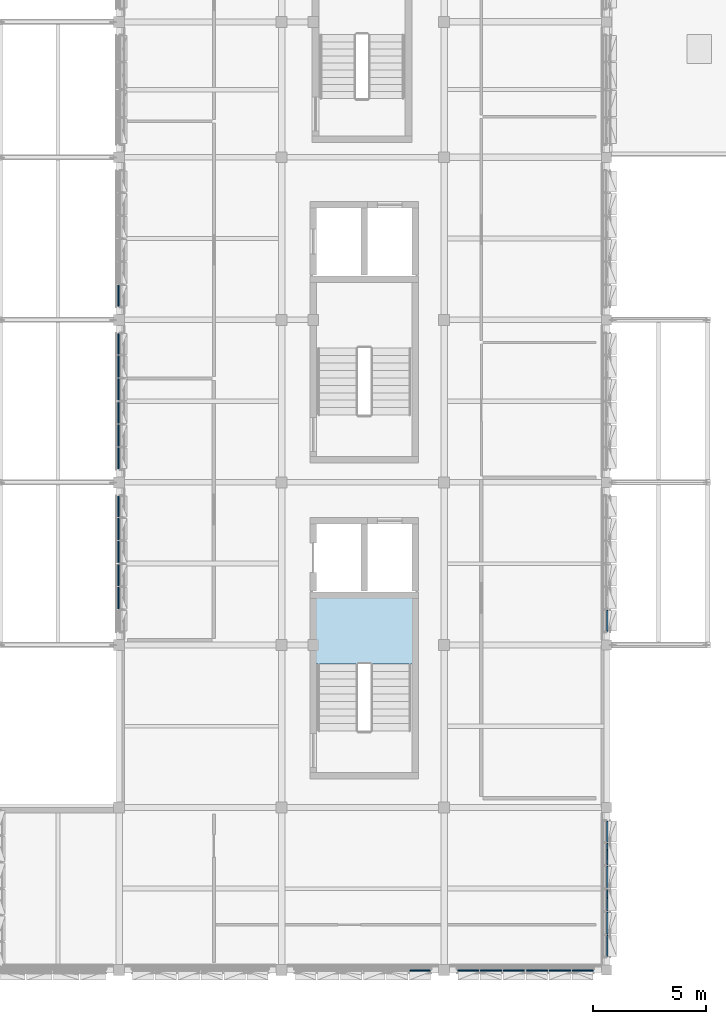
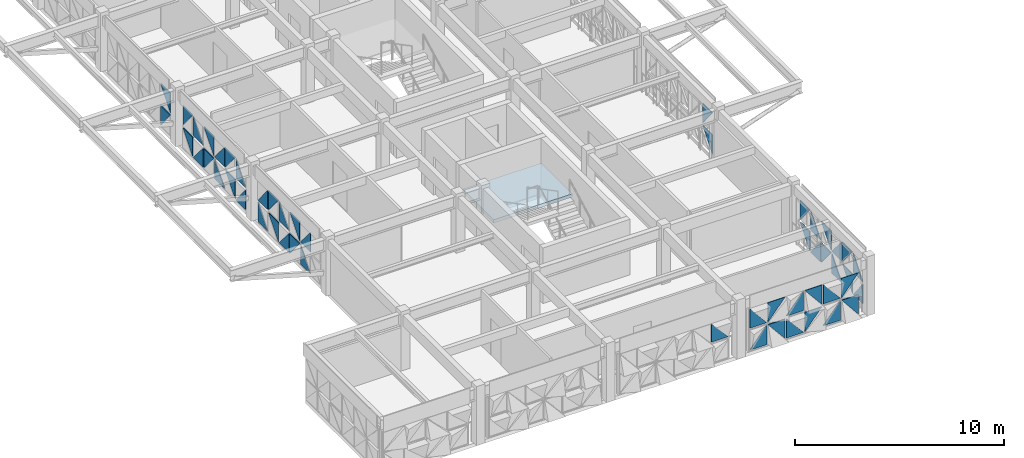
# One storey, part 12 of 30: 51 plates, 1 slab, 8 elements without a shape of their own.
"""IFC4 building model written with IfcOpenShell, lengths in metres."""

from ifc_helpers import new_model, si_unit, direction, frame, origin, place, context, subcontext, project, spatial, polyline, outline, extrude, material, layer, layer_set, type_object, element, aggregate, save


model = new_model("IFC4")

# Units and contexts
model_context = context("Model", 3, precision=1e-05, world=origin(), true_north=direction((0.0, 1.0)))
body_context = subcontext(model_context, "Body", "Model", "MODEL_VIEW")
ifc_project = project(units=[si_unit("LENGTHUNIT", "METRE"), si_unit("AREAUNIT", "SQUARE_METRE"), si_unit("VOLUMEUNIT", "CUBIC_METRE"), si_unit("PLANEANGLEUNIT", "RADIAN"), si_unit("MASSUNIT", "GRAM", prefix="KILO")], contexts=[model_context])

# Site, building, storey
site_placement = place(None, origin())
site = spatial("IfcSite", under=ifc_project, at=site_placement, CompositionType="ELEMENT")
building_placement = place(site_placement, origin())
building = spatial("IfcBuilding", under=site, at=building_placement, Name="Alvorim Cloister Faculty of Sciences", CompositionType="ELEMENT")
storey_placement = place(building_placement, frame((0.0, 0.0, 26.25)))
storey = spatial("IfcBuildingStorey", under=building, at=storey_placement, Name="L07", CompositionType="ELEMENT", Elevation=26.25)

# Curtain wall, plates
ifc_material_1 = material(Name="Aluminium and Low-E Glass Curtain Wall", Category="aluminium")
curtain_wall_type_1 = type_object("IfcCurtainWallType", Name="CW-TRI-6120x2700", PredefinedType="USERDEFINED", material=ifc_material_1)
curtain_wall_1_placement = place(storey_placement, origin())
curtain_wall_1 = element("IfcCurtainWall", 1, at=curtain_wall_1_placement, inside=storey, type_object=curtain_wall_type_1, Name="L07 Diagonal Cassette Curtain Wall CW-0262", ObjectType="UNITISED CURTAIN WALL", PredefinedType="USERDEFINED")
ifc_material_2 = material(Name="Double Low-E Laminated Glass", Category="glass")
ifc_layer_1 = layer(ifc_material_2, 0.0400390625)
ifc_layer_set_1 = layer_set([ifc_layer_1], Name="Double Low-E Laminated Glass")
plate_type = type_object("IfcPlateType", Name="PN-GLZ-40", PredefinedType="CURTAIN_PANEL", material=ifc_layer_set_1)
plate_1_placement = place(storey_placement, frame((22.205078125, 7.175048828125, 0.139892578125), z_axis=(0.0, 0.0, 1.0), x_axis=(1.0, 0.0, 0.0)))
plate_1 = element("IfcPlate", 2, at=plate_1_placement, type_object=plate_type, Name="Diagonal Glazed Triangle TRI-BR", PredefinedType="CURTAIN_PANEL", context=body_context, shape_type="SweptSolid", body=[
    extrude(outline(polyline([(0.001953125, 0.0), (0.922607421875, 0.0), (0.922607421875, 1.13818359375), (0.001953125, 0.0)])), frame((0.0, 0.02490234375, 0.0), z_axis=(0.0, -1.0, 0.0), x_axis=(1.0, 0.0, 0.0)), (0.0, 0.0, 1.0), 0.050048828125),
])
plate_2_placement = place(storey_placement, frame((22.205078125, 7.175048828125, 1.419921875), z_axis=(0.0, 0.0, 1.0), x_axis=(1.0, 0.0, 0.0)))
plate_2 = element("IfcPlate", 3, at=plate_2_placement, type_object=plate_type, Name="Diagonal Glazed Triangle TRI-BL", PredefinedType="CURTAIN_PANEL", context=body_context, shape_type="SweptSolid", body=[
    extrude(outline(polyline([(0.0, 0.0), (0.920654296875, 0.0), (0.0, 1.13818359375), (0.0, 0.0)])), frame((0.0, 0.02490234375, 0.0), z_axis=(0.0, -1.0, 0.0), x_axis=(1.0, 0.0, 0.0)), (0.0, 0.0, 1.0), 0.050048828125),
])
plate_3_placement = place(storey_placement, frame((23.1923828125, 7.175048828125, 0.139892578125), z_axis=(0.0, 0.0, 1.0), x_axis=(1.0, 0.0, 0.0)))
plate_3 = element("IfcPlate", 4, at=plate_3_placement, type_object=plate_type, Name="Diagonal Glazed Triangle TRI-TR", PredefinedType="CURTAIN_PANEL", context=body_context, shape_type="SweptSolid", body=[
    extrude(outline(polyline([(0.955078125, 0.001953125), (0.955078125, 1.14013671875), (0.001953125, 1.14013671875), (0.955078125, 0.001953125)])), frame((0.0, 0.02490234375, 0.0), z_axis=(0.0, -1.0, 0.0), x_axis=(1.0, 0.0, 0.0)), (0.0, 0.0, 1.0), 0.050048828125),
])
plate_4_placement = place(storey_placement, frame((23.1923828125, 7.175048828125, 1.419921875), z_axis=(0.0, 0.0, 1.0), x_axis=(1.0, 0.0, 0.0)))
plate_4 = element("IfcPlate", 5, at=plate_4_placement, type_object=plate_type, Name="Diagonal Glazed Triangle TRI-TL", PredefinedType="CURTAIN_PANEL", context=body_context, shape_type="SweptSolid", body=[
    extrude(outline(polyline([(0.953125, 1.14013671875), (0.0, 1.14013671875), (0.0, 0.001953125), (0.953125, 1.14013671875)])), frame((0.0, 0.02490234375, 0.0), z_axis=(0.0, -1.0, 0.0), x_axis=(1.0, 0.0, 0.0)), (0.0, 0.0, 1.0), 0.050048828125),
])
plate_5_placement = place(storey_placement, frame((24.21240234375, 7.175048828125, 0.139892578125), z_axis=(0.0, 0.0, 1.0), x_axis=(1.0, 0.0, 0.0)))
plate_5 = element("IfcPlate", 6, at=plate_5_placement, type_object=plate_type, Name="Diagonal Glazed Triangle TRI-BL", PredefinedType="CURTAIN_PANEL", context=body_context, shape_type="SweptSolid", body=[
    extrude(outline(polyline([(0.0, 0.0), (0.953125, 0.0), (0.0, 1.13818359375), (0.0, 0.0)])), frame((0.0, 0.02490234375, 0.0), z_axis=(0.0, -1.0, 0.0), x_axis=(1.0, 0.0, 0.0)), (0.0, 0.0, 1.0), 0.050048828125),
])
plate_6_placement = place(storey_placement, frame((24.21240234375, 7.175048828125, 1.419921875), z_axis=(0.0, 0.0, 1.0), x_axis=(1.0, 0.0, 0.0)))
plate_6 = element("IfcPlate", 7, at=plate_6_placement, type_object=plate_type, Name="Diagonal Glazed Triangle TRI-BR", PredefinedType="CURTAIN_PANEL", context=body_context, shape_type="SweptSolid", body=[
    extrude(outline(polyline([(0.001953125, 0.0), (0.955078125, 0.0), (0.955078125, 1.13818359375), (0.001953125, 0.0)])), frame((0.0, 0.02490234375, 0.0), z_axis=(0.0, -1.0, 0.0), x_axis=(1.0, 0.0, 0.0)), (0.0, 0.0, 1.0), 0.050048828125),
])
plate_7_placement = place(storey_placement, frame((25.232421875, 7.175048828125, 0.139892578125), z_axis=(0.0, 0.0, 1.0), x_axis=(1.0, 0.0, 0.0)))
plate_7 = element("IfcPlate", 8, at=plate_7_placement, type_object=plate_type, Name="Diagonal Glazed Triangle TRI-TL", PredefinedType="CURTAIN_PANEL", context=body_context, shape_type="SweptSolid", body=[
    extrude(outline(polyline([(0.953125, 1.14013671875), (0.0, 1.14013671875), (0.0, 0.001953125), (0.953125, 1.14013671875)])), frame((0.0, 0.02490234375, 0.0), z_axis=(0.0, -1.0, 0.0), x_axis=(1.0, 0.0, 0.0)), (0.0, 0.0, 1.0), 0.050048828125),
])
plate_8_placement = place(storey_placement, frame((25.232421875, 7.175048828125, 1.419921875), z_axis=(0.0, 0.0, 1.0), x_axis=(1.0, 0.0, 0.0)))
plate_8 = element("IfcPlate", 9, at=plate_8_placement, type_object=plate_type, Name="Diagonal Glazed Triangle TRI-TR", PredefinedType="CURTAIN_PANEL", context=body_context, shape_type="SweptSolid", body=[
    extrude(outline(polyline([(0.955078125, 0.001953125), (0.955078125, 1.14013671875), (0.001953125, 1.14013671875), (0.955078125, 0.001953125)])), frame((0.0, 0.02490234375, 0.0), z_axis=(0.0, -1.0, 0.0), x_axis=(1.0, 0.0, 0.0)), (0.0, 0.0, 1.0), 0.050048828125),
])
plate_9_placement = place(storey_placement, frame((26.25244140625, 7.175048828125, 0.139892578125), z_axis=(0.0, 0.0, 1.0), x_axis=(1.0, 0.0, 0.0)))
plate_9 = element("IfcPlate", 10, at=plate_9_placement, type_object=plate_type, Name="Diagonal Glazed Triangle TRI-BR", PredefinedType="CURTAIN_PANEL", context=body_context, shape_type="SweptSolid", body=[
    extrude(outline(polyline([(0.001953125, 0.0), (0.955078125, 0.0), (0.955078125, 1.13818359375), (0.001953125, 0.0)])), frame((0.0, 0.02490234375, 0.0), z_axis=(0.0, -1.0, 0.0), x_axis=(1.0, 0.0, 0.0)), (0.0, 0.0, 1.0), 0.050048828125),
])
plate_10_placement = place(storey_placement, frame((26.25244140625, 7.175048828125, 1.419921875), z_axis=(0.0, 0.0, 1.0), x_axis=(1.0, 0.0, 0.0)))
plate_10 = element("IfcPlate", 11, at=plate_10_placement, type_object=plate_type, Name="Diagonal Glazed Triangle TRI-BL", PredefinedType="CURTAIN_PANEL", context=body_context, shape_type="SweptSolid", body=[
    extrude(outline(polyline([(0.0, 0.0), (0.953125, 0.0), (0.0, 1.13818359375), (0.0, 0.0)])), frame((0.0, 0.02490234375, 0.0), z_axis=(0.0, -1.0, 0.0), x_axis=(1.0, 0.0, 0.0)), (0.0, 0.0, 1.0), 0.050048828125),
])
plate_11_placement = place(storey_placement, frame((27.2724609375, 7.175048828125, 0.139892578125), z_axis=(0.0, 0.0, 1.0), x_axis=(1.0, 0.0, 0.0)))
plate_11 = element("IfcPlate", 12, at=plate_11_placement, type_object=plate_type, Name="Diagonal Glazed Triangle TRI-TR", PredefinedType="CURTAIN_PANEL", context=body_context, shape_type="SweptSolid", body=[
    extrude(outline(polyline([(0.922607421875, 0.001953125), (0.922607421875, 1.14013671875), (0.001953125, 1.14013671875), (0.922607421875, 0.001953125)])), frame((0.0, 0.02490234375, 0.0), z_axis=(0.0, -1.0, 0.0), x_axis=(1.0, 0.0, 0.0)), (0.0, 0.0, 1.0), 0.050048828125),
])
plate_12_placement = place(storey_placement, frame((27.2724609375, 7.175048828125, 1.419921875), z_axis=(0.0, 0.0, 1.0), x_axis=(1.0, 0.0, 0.0)))
plate_12 = element("IfcPlate", 13, at=plate_12_placement, type_object=plate_type, Name="Diagonal Glazed Triangle TRI-TL", PredefinedType="CURTAIN_PANEL", context=body_context, shape_type="SweptSolid", body=[
    extrude(outline(polyline([(0.920654296875, 1.14013671875), (0.0, 1.14013671875), (0.0, 0.001953125), (0.920654296875, 1.14013671875)])), frame((0.0, 0.02490234375, 0.0), z_axis=(0.0, -1.0, 0.0), x_axis=(1.0, 0.0, 0.0)), (0.0, 0.0, 1.0), 0.050048828125),
])
aggregate(curtain_wall_1, [plate_1, plate_2, plate_3, plate_4, plate_5, plate_6, plate_7, plate_8, plate_9, plate_10, plate_11, plate_12])

# Curtain wall, plate
curtain_wall_type_2 = type_object("IfcCurtainWallType", Name="CW-TRI-6120x2556", PredefinedType="USERDEFINED", material=ifc_material_1)
curtain_wall_2_placement = place(storey_placement, origin())
curtain_wall_2 = element("IfcCurtainWall", 14, at=curtain_wall_2_placement, inside=storey, type_object=curtain_wall_type_2, Name="L07 Diagonal Cassette Curtain Wall CW-0263", ObjectType="UNITISED CURTAIN WALL", PredefinedType="USERDEFINED")
plate_13_placement = place(storey_placement, frame((20.072509765625, 7.175048828125, 1.347900390625), z_axis=(0.0, 0.0, 1.0), x_axis=(1.0, 0.0, 0.0)))
plate_13 = element("IfcPlate", 15, at=plate_13_placement, type_object=plate_type, Name="Diagonal Glazed Triangle TRI-BL", PredefinedType="CURTAIN_PANEL", context=body_context, shape_type="SweptSolid", body=[
    extrude(outline(polyline([(0.0, 0.0), (0.920654296875, 0.0), (0.0, 1.066162109375), (0.0, 0.0)])), frame((0.0, 0.02490234375, 0.0), z_axis=(0.0, -1.0, 0.0), x_axis=(1.0, 0.0, 0.0)), (0.0, 0.0, 1.0), 0.050048828125),
])
aggregate(curtain_wall_2, [plate_13])

# Curtain wall, plates
curtain_wall_3_placement = place(storey_placement, origin())
curtain_wall_3 = element("IfcCurtainWall", 16, at=curtain_wall_3_placement, inside=storey, type_object=curtain_wall_type_1, Name="L07 Diagonal Cassette Curtain Wall CW-0267", ObjectType="UNITISED CURTAIN WALL", PredefinedType="USERDEFINED")
plate_14_placement = place(storey_placement, frame((7.175048828125, 23.1923828125, 0.139892578125), z_axis=(0.0, 0.0, 1.0), x_axis=(0.0, 1.0, 0.0)))
plate_14 = element("IfcPlate", 17, at=plate_14_placement, type_object=plate_type, Name="Diagonal Glazed Triangle TRI-BR", PredefinedType="CURTAIN_PANEL", context=body_context, shape_type="SweptSolid", body=[
    extrude(outline(polyline([(0.001953125, 0.0), (0.955078125, 0.0), (0.955078125, 1.13818359375), (0.001953125, 0.0)])), frame((0.0, 0.02490234375, 0.0), z_axis=(0.0, -1.0, 0.0), x_axis=(1.0, 0.0, 0.0)), (0.0, 0.0, 1.0), 0.050048828125),
])
plate_15_placement = place(storey_placement, frame((7.175048828125, 23.1923828125, 1.419921875), z_axis=(0.0, 0.0, 1.0), x_axis=(0.0, 1.0, 0.0)))
plate_15 = element("IfcPlate", 18, at=plate_15_placement, type_object=plate_type, Name="Diagonal Glazed Triangle TRI-BL", PredefinedType="CURTAIN_PANEL", context=body_context, shape_type="SweptSolid", body=[
    extrude(outline(polyline([(0.0, 0.0), (0.953125, 0.0), (0.0, 1.13818359375), (0.0, 0.0)])), frame((0.0, 0.02490234375, 0.0), z_axis=(0.0, -1.0, 0.0), x_axis=(1.0, 0.0, 0.0)), (0.0, 0.0, 1.0), 0.050048828125),
])
plate_16_placement = place(storey_placement, frame((7.175048828125, 24.21240234375, 0.139892578125), z_axis=(0.0, 0.0, 1.0), x_axis=(0.0, 1.0, 0.0)))
plate_16 = element("IfcPlate", 19, at=plate_16_placement, type_object=plate_type, Name="Diagonal Glazed Triangle TRI-TR", PredefinedType="CURTAIN_PANEL", context=body_context, shape_type="SweptSolid", body=[
    extrude(outline(polyline([(0.955078125, 0.001953125), (0.955078125, 1.14013671875), (0.001953125, 1.14013671875), (0.955078125, 0.001953125)])), frame((0.0, 0.02490234375, 0.0), z_axis=(0.0, -1.0, 0.0), x_axis=(1.0, 0.0, 0.0)), (0.0, 0.0, 1.0), 0.050048828125),
])
plate_17_placement = place(storey_placement, frame((7.175048828125, 24.21240234375, 1.419921875), z_axis=(0.0, 0.0, 1.0), x_axis=(0.0, 1.0, 0.0)))
plate_17 = element("IfcPlate", 20, at=plate_17_placement, type_object=plate_type, Name="Diagonal Glazed Triangle TRI-TL", PredefinedType="CURTAIN_PANEL", context=body_context, shape_type="SweptSolid", body=[
    extrude(outline(polyline([(0.953125, 1.14013671875), (0.0, 1.14013671875), (0.0, 0.001953125), (0.953125, 1.14013671875)])), frame((0.0, 0.02490234375, 0.0), z_axis=(0.0, -1.0, 0.0), x_axis=(1.0, 0.0, 0.0)), (0.0, 0.0, 1.0), 0.050048828125),
])
plate_18_placement = place(storey_placement, frame((7.175048828125, 25.232421875, 0.139892578125), z_axis=(0.0, 0.0, 1.0), x_axis=(0.0, 1.0, 0.0)))
plate_18 = element("IfcPlate", 21, at=plate_18_placement, type_object=plate_type, Name="Diagonal Glazed Triangle TRI-BL", PredefinedType="CURTAIN_PANEL", context=body_context, shape_type="SweptSolid", body=[
    extrude(outline(polyline([(0.0, 0.0), (0.953125, 0.0), (0.0, 1.13818359375), (0.0, 0.0)])), frame((0.0, 0.02490234375, 0.0), z_axis=(0.0, -1.0, 0.0), x_axis=(1.0, 0.0, 0.0)), (0.0, 0.0, 1.0), 0.050048828125),
])
plate_19_placement = place(storey_placement, frame((7.175048828125, 25.232421875, 1.419921875), z_axis=(0.0, 0.0, 1.0), x_axis=(0.0, 1.0, 0.0)))
plate_19 = element("IfcPlate", 22, at=plate_19_placement, type_object=plate_type, Name="Diagonal Glazed Triangle TRI-BR", PredefinedType="CURTAIN_PANEL", context=body_context, shape_type="SweptSolid", body=[
    extrude(outline(polyline([(0.001953125, 0.0), (0.955078125, 0.0), (0.955078125, 1.13818359375), (0.001953125, 0.0)])), frame((0.0, 0.02490234375, 0.0), z_axis=(0.0, -1.0, 0.0), x_axis=(1.0, 0.0, 0.0)), (0.0, 0.0, 1.0), 0.050048828125),
])
plate_20_placement = place(storey_placement, frame((7.175048828125, 26.25244140625, 0.139892578125), z_axis=(0.0, 0.0, 1.0), x_axis=(0.0, 1.0, 0.0)))
plate_20 = element("IfcPlate", 23, at=plate_20_placement, type_object=plate_type, Name="Diagonal Glazed Triangle TRI-TL", PredefinedType="CURTAIN_PANEL", context=body_context, shape_type="SweptSolid", body=[
    extrude(outline(polyline([(0.953125, 1.14013671875), (0.0, 1.14013671875), (0.0, 0.001953125), (0.953125, 1.14013671875)])), frame((0.0, 0.02490234375, 0.0), z_axis=(0.0, -1.0, 0.0), x_axis=(1.0, 0.0, 0.0)), (0.0, 0.0, 1.0), 0.050048828125),
])
plate_21_placement = place(storey_placement, frame((7.175048828125, 26.25244140625, 1.419921875), z_axis=(0.0, 0.0, 1.0), x_axis=(0.0, 1.0, 0.0)))
plate_21 = element("IfcPlate", 24, at=plate_21_placement, type_object=plate_type, Name="Diagonal Glazed Triangle TRI-TR", PredefinedType="CURTAIN_PANEL", context=body_context, shape_type="SweptSolid", body=[
    extrude(outline(polyline([(0.955078125, 0.001953125), (0.955078125, 1.14013671875), (0.001953125, 1.14013671875), (0.955078125, 0.001953125)])), frame((0.0, 0.02490234375, 0.0), z_axis=(0.0, -1.0, 0.0), x_axis=(1.0, 0.0, 0.0)), (0.0, 0.0, 1.0), 0.050048828125),
])
plate_22_placement = place(storey_placement, frame((7.175048828125, 27.2724609375, 0.139892578125), z_axis=(0.0, 0.0, 1.0), x_axis=(0.0, 1.0, 0.0)))
plate_22 = element("IfcPlate", 25, at=plate_22_placement, type_object=plate_type, Name="Diagonal Glazed Triangle TRI-BR", PredefinedType="CURTAIN_PANEL", context=body_context, shape_type="SweptSolid", body=[
    extrude(outline(polyline([(0.001953125, 0.0), (0.922607421875, 0.0), (0.922607421875, 1.13818359375), (0.001953125, 0.0)])), frame((0.0, 0.02490234375, 0.0), z_axis=(0.0, -1.0, 0.0), x_axis=(1.0, 0.0, 0.0)), (0.0, 0.0, 1.0), 0.050048828125),
])
plate_23_placement = place(storey_placement, frame((7.175048828125, 27.2724609375, 1.419921875), z_axis=(0.0, 0.0, 1.0), x_axis=(0.0, 1.0, 0.0)))
plate_23 = element("IfcPlate", 26, at=plate_23_placement, type_object=plate_type, Name="Diagonal Glazed Triangle TRI-BL", PredefinedType="CURTAIN_PANEL", context=body_context, shape_type="SweptSolid", body=[
    extrude(outline(polyline([(0.0, 0.0), (0.920654296875, 0.0), (0.0, 1.13818359375), (0.0, 0.0)])), frame((0.0, 0.02490234375, 0.0), z_axis=(0.0, -1.0, 0.0), x_axis=(1.0, 0.0, 0.0)), (0.0, 0.0, 1.0), 0.050048828125),
])
aggregate(curtain_wall_3, [plate_14, plate_15, plate_16, plate_17, plate_18, plate_19, plate_20, plate_21, plate_22, plate_23])

curtain_wall_4_placement = place(storey_placement, origin())
curtain_wall_4 = element("IfcCurtainWall", 27, at=curtain_wall_4_placement, inside=storey, type_object=curtain_wall_type_1, Name="L07 Diagonal Cassette Curtain Wall CW-0268", ObjectType="UNITISED CURTAIN WALL", PredefinedType="USERDEFINED")
plate_24_placement = place(storey_placement, frame((7.175048828125, 29.405029296875, 0.139892578125), z_axis=(0.0, 0.0, 1.0), x_axis=(0.0, 1.0, 0.0)))
plate_24 = element("IfcPlate", 28, at=plate_24_placement, type_object=plate_type, Name="Diagonal Glazed Triangle TRI-BL", PredefinedType="CURTAIN_PANEL", context=body_context, shape_type="SweptSolid", body=[
    extrude(outline(polyline([(0.0, 0.0), (0.920654296875, 0.0), (0.0, 1.13818359375), (0.0, 0.0)])), frame((0.0, 0.02490234375, 0.0), z_axis=(0.0, -1.0, 0.0), x_axis=(1.0, 0.0, 0.0)), (0.0, 0.0, 1.0), 0.050048828125),
])
plate_25_placement = place(storey_placement, frame((7.175048828125, 29.405029296875, 1.419921875), z_axis=(0.0, 0.0, 1.0), x_axis=(0.0, 1.0, 0.0)))
plate_25 = element("IfcPlate", 29, at=plate_25_placement, type_object=plate_type, Name="Diagonal Glazed Triangle TRI-BR", PredefinedType="CURTAIN_PANEL", context=body_context, shape_type="SweptSolid", body=[
    extrude(outline(polyline([(0.001953125, 0.0), (0.922607421875, 0.0), (0.922607421875, 1.13818359375), (0.001953125, 0.0)])), frame((0.0, 0.02490234375, 0.0), z_axis=(0.0, -1.0, 0.0), x_axis=(1.0, 0.0, 0.0)), (0.0, 0.0, 1.0), 0.050048828125),
])
plate_26_placement = place(storey_placement, frame((7.175048828125, 30.392578125, 0.139892578125), z_axis=(0.0, 0.0, 1.0), x_axis=(0.0, 1.0, 0.0)))
plate_26 = element("IfcPlate", 30, at=plate_26_placement, type_object=plate_type, Name="Diagonal Glazed Triangle TRI-TL", PredefinedType="CURTAIN_PANEL", context=body_context, shape_type="SweptSolid", body=[
    extrude(outline(polyline([(0.953125, 1.14013671875), (0.0, 1.14013671875), (0.0, 0.001953125), (0.953125, 1.14013671875)])), frame((0.0, 0.02490234375, 0.0), z_axis=(0.0, -1.0, 0.0), x_axis=(1.0, 0.0, 0.0)), (0.0, 0.0, 1.0), 0.050048828125),
])
plate_27_placement = place(storey_placement, frame((7.175048828125, 30.392578125, 1.419921875), z_axis=(0.0, 0.0, 1.0), x_axis=(0.0, 1.0, 0.0)))
plate_27 = element("IfcPlate", 31, at=plate_27_placement, type_object=plate_type, Name="Diagonal Glazed Triangle TRI-TR", PredefinedType="CURTAIN_PANEL", context=body_context, shape_type="SweptSolid", body=[
    extrude(outline(polyline([(0.955078125, 0.001953125), (0.955078125, 1.14013671875), (0.001953125, 1.14013671875), (0.955078125, 0.001953125)])), frame((0.0, 0.02490234375, 0.0), z_axis=(0.0, -1.0, 0.0), x_axis=(1.0, 0.0, 0.0)), (0.0, 0.0, 1.0), 0.050048828125),
])
plate_28_placement = place(storey_placement, frame((7.175048828125, 31.41259765625, 0.139892578125), z_axis=(0.0, 0.0, 1.0), x_axis=(0.0, 1.0, 0.0)))
plate_28 = element("IfcPlate", 32, at=plate_28_placement, type_object=plate_type, Name="Diagonal Glazed Triangle TRI-BR", PredefinedType="CURTAIN_PANEL", context=body_context, shape_type="SweptSolid", body=[
    extrude(outline(polyline([(0.001953125, 0.0), (0.955078125, 0.0), (0.955078125, 1.13818359375), (0.001953125, 0.0)])), frame((0.0, 0.02490234375, 0.0), z_axis=(0.0, -1.0, 0.0), x_axis=(1.0, 0.0, 0.0)), (0.0, 0.0, 1.0), 0.050048828125),
])
plate_29_placement = place(storey_placement, frame((7.175048828125, 31.41259765625, 1.419921875), z_axis=(0.0, 0.0, 1.0), x_axis=(0.0, 1.0, 0.0)))
plate_29 = element("IfcPlate", 33, at=plate_29_placement, type_object=plate_type, Name="Diagonal Glazed Triangle TRI-BL", PredefinedType="CURTAIN_PANEL", context=body_context, shape_type="SweptSolid", body=[
    extrude(outline(polyline([(0.0, 0.0), (0.953125, 0.0), (0.0, 1.13818359375), (0.0, 0.0)])), frame((0.0, 0.02490234375, 0.0), z_axis=(0.0, -1.0, 0.0), x_axis=(1.0, 0.0, 0.0)), (0.0, 0.0, 1.0), 0.050048828125),
])
plate_30_placement = place(storey_placement, frame((7.175048828125, 32.4326171875, 0.139892578125), z_axis=(0.0, 0.0, 1.0), x_axis=(0.0, 1.0, 0.0)))
plate_30 = element("IfcPlate", 34, at=plate_30_placement, type_object=plate_type, Name="Diagonal Glazed Triangle TRI-TR", PredefinedType="CURTAIN_PANEL", context=body_context, shape_type="SweptSolid", body=[
    extrude(outline(polyline([(0.955078125, 0.001953125), (0.955078125, 1.14013671875), (0.001953125, 1.14013671875), (0.955078125, 0.001953125)])), frame((0.0, 0.02490234375, 0.0), z_axis=(0.0, -1.0, 0.0), x_axis=(1.0, 0.0, 0.0)), (0.0, 0.0, 1.0), 0.050048828125),
])
plate_31_placement = place(storey_placement, frame((7.175048828125, 32.4326171875, 1.419921875), z_axis=(0.0, 0.0, 1.0), x_axis=(0.0, 1.0, 0.0)))
plate_31 = element("IfcPlate", 35, at=plate_31_placement, type_object=plate_type, Name="Diagonal Glazed Triangle TRI-TL", PredefinedType="CURTAIN_PANEL", context=body_context, shape_type="SweptSolid", body=[
    extrude(outline(polyline([(0.953125, 1.14013671875), (0.0, 1.14013671875), (0.0, 0.001953125), (0.953125, 1.14013671875)])), frame((0.0, 0.02490234375, 0.0), z_axis=(0.0, -1.0, 0.0), x_axis=(1.0, 0.0, 0.0)), (0.0, 0.0, 1.0), 0.050048828125),
])
plate_32_placement = place(storey_placement, frame((7.175048828125, 33.452392578125, 0.139892578125), z_axis=(0.0, 0.0, 1.0), x_axis=(0.0, 1.0, 0.0)))
plate_32 = element("IfcPlate", 36, at=plate_32_placement, type_object=plate_type, Name="Diagonal Glazed Triangle TRI-BL", PredefinedType="CURTAIN_PANEL", context=body_context, shape_type="SweptSolid", body=[
    extrude(outline(polyline([(0.0, 0.0), (0.953125, 0.0), (0.0, 1.13818359375), (0.0, 0.0)])), frame((0.0, 0.02490234375, 0.0), z_axis=(0.0, -1.0, 0.0), x_axis=(1.0, 0.0, 0.0)), (0.0, 0.0, 1.0), 0.050048828125),
])
plate_33_placement = place(storey_placement, frame((7.175048828125, 33.452392578125, 1.419921875), z_axis=(0.0, 0.0, 1.0), x_axis=(0.0, 1.0, 0.0)))
plate_33 = element("IfcPlate", 37, at=plate_33_placement, type_object=plate_type, Name="Diagonal Glazed Triangle TRI-BR", PredefinedType="CURTAIN_PANEL", context=body_context, shape_type="SweptSolid", body=[
    extrude(outline(polyline([(0.001953125, 0.0), (0.955078125, 0.0), (0.955078125, 1.13818359375), (0.001953125, 0.0)])), frame((0.0, 0.02490234375, 0.0), z_axis=(0.0, -1.0, 0.0), x_axis=(1.0, 0.0, 0.0)), (0.0, 0.0, 1.0), 0.050048828125),
])
plate_34_placement = place(storey_placement, frame((7.175048828125, 34.472412109375, 0.139892578125), z_axis=(0.0, 0.0, 1.0), x_axis=(0.0, 1.0, 0.0)))
plate_34 = element("IfcPlate", 38, at=plate_34_placement, type_object=plate_type, Name="Diagonal Glazed Triangle TRI-TL", PredefinedType="CURTAIN_PANEL", context=body_context, shape_type="SweptSolid", body=[
    extrude(outline(polyline([(0.920654296875, 1.14013671875), (0.0, 1.14013671875), (0.0, 0.001953125), (0.920654296875, 1.14013671875)])), frame((0.0, 0.02490234375, 0.0), z_axis=(0.0, -1.0, 0.0), x_axis=(1.0, 0.0, 0.0)), (0.0, 0.0, 1.0), 0.050048828125),
])
plate_35_placement = place(storey_placement, frame((7.175048828125, 34.472412109375, 1.419921875), z_axis=(0.0, 0.0, 1.0), x_axis=(0.0, 1.0, 0.0)))
plate_35 = element("IfcPlate", 39, at=plate_35_placement, type_object=plate_type, Name="Diagonal Glazed Triangle TRI-TR", PredefinedType="CURTAIN_PANEL", context=body_context, shape_type="SweptSolid", body=[
    extrude(outline(polyline([(0.922607421875, 0.001953125), (0.922607421875, 1.14013671875), (0.001953125, 1.14013671875), (0.922607421875, 0.001953125)])), frame((0.0, 0.02490234375, 0.0), z_axis=(0.0, -1.0, 0.0), x_axis=(1.0, 0.0, 0.0)), (0.0, 0.0, 1.0), 0.050048828125),
])
aggregate(curtain_wall_4, [plate_24, plate_25, plate_26, plate_27, plate_28, plate_29, plate_30, plate_31, plate_32, plate_33, plate_34, plate_35])

curtain_wall_5_placement = place(storey_placement, origin())
curtain_wall_5 = element("IfcCurtainWall", 40, at=curtain_wall_5_placement, inside=storey, type_object=curtain_wall_type_1, Name="L07 Diagonal Cassette Curtain Wall CW-0269", ObjectType="UNITISED CURTAIN WALL", PredefinedType="USERDEFINED")
plate_36_placement = place(storey_placement, frame((7.175048828125, 36.60498046875, 0.139892578125), z_axis=(0.0, 0.0, 1.0), x_axis=(0.0, 1.0, 0.0)))
plate_36 = element("IfcPlate", 41, at=plate_36_placement, type_object=plate_type, Name="Diagonal Glazed Triangle TRI-TR", PredefinedType="CURTAIN_PANEL", context=body_context, shape_type="SweptSolid", body=[
    extrude(outline(polyline([(0.922607421875, 0.001953125), (0.922607421875, 1.14013671875), (0.001953125, 1.14013671875), (0.922607421875, 0.001953125)])), frame((0.0, 0.02490234375, 0.0), z_axis=(0.0, -1.0, 0.0), x_axis=(1.0, 0.0, 0.0)), (0.0, 0.0, 1.0), 0.050048828125),
])
plate_37_placement = place(storey_placement, frame((7.175048828125, 36.60498046875, 1.419921875), z_axis=(0.0, 0.0, 1.0), x_axis=(0.0, 1.0, 0.0)))
plate_37 = element("IfcPlate", 42, at=plate_37_placement, type_object=plate_type, Name="Diagonal Glazed Triangle TRI-TL", PredefinedType="CURTAIN_PANEL", context=body_context, shape_type="SweptSolid", body=[
    extrude(outline(polyline([(0.920654296875, 1.14013671875), (0.0, 1.14013671875), (0.0, 0.001953125), (0.920654296875, 1.14013671875)])), frame((0.0, 0.02490234375, 0.0), z_axis=(0.0, -1.0, 0.0), x_axis=(1.0, 0.0, 0.0)), (0.0, 0.0, 1.0), 0.050048828125),
])
aggregate(curtain_wall_5, [plate_36, plate_37])

curtain_wall_6_placement = place(storey_placement, origin())
curtain_wall_6 = element("IfcCurtainWall", 43, at=curtain_wall_6_placement, inside=storey, type_object=curtain_wall_type_1, Name="L07 Diagonal Cassette Curtain Wall CW-0279", ObjectType="UNITISED CURTAIN WALL", PredefinedType="USERDEFINED")
plate_38_placement = place(storey_placement, frame((28.824951171875, 22.205078125, 0.139892578125), z_axis=(0.0, 0.0, 1.0), x_axis=(0.0, 1.0, 0.0)))
plate_38 = element("IfcPlate", 44, at=plate_38_placement, type_object=plate_type, Name="Diagonal Glazed Triangle TRI-TL", PredefinedType="CURTAIN_PANEL", context=body_context, shape_type="SweptSolid", body=[
    extrude(outline(polyline([(0.920654296875, 1.14013671875), (0.0, 1.14013671875), (0.0, 0.001953125), (0.920654296875, 1.14013671875)])), frame((0.0, 0.02490234375, 0.0), z_axis=(0.0, -1.0, 0.0), x_axis=(1.0, 0.0, 0.0)), (0.0, 0.0, 1.0), 0.050048828125),
])
plate_39_placement = place(storey_placement, frame((28.824951171875, 22.205078125, 1.419921875), z_axis=(0.0, 0.0, 1.0), x_axis=(0.0, 1.0, 0.0)))
plate_39 = element("IfcPlate", 45, at=plate_39_placement, type_object=plate_type, Name="Diagonal Glazed Triangle TRI-TR", PredefinedType="CURTAIN_PANEL", context=body_context, shape_type="SweptSolid", body=[
    extrude(outline(polyline([(0.922607421875, 0.001953125), (0.922607421875, 1.14013671875), (0.001953125, 1.14013671875), (0.922607421875, 0.001953125)])), frame((0.0, 0.02490234375, 0.0), z_axis=(0.0, -1.0, 0.0), x_axis=(1.0, 0.0, 0.0)), (0.0, 0.0, 1.0), 0.050048828125),
])
aggregate(curtain_wall_6, [plate_38, plate_39])

curtain_wall_7_placement = place(storey_placement, origin())
curtain_wall_7 = element("IfcCurtainWall", 46, at=curtain_wall_7_placement, inside=storey, type_object=curtain_wall_type_1, Name="L07 Diagonal Cassette Curtain Wall CW-0280", ObjectType="UNITISED CURTAIN WALL", PredefinedType="USERDEFINED")
plate_40_placement = place(storey_placement, frame((28.824951171875, 7.804931640625, 0.139892578125), z_axis=(0.0, 0.0, 1.0), x_axis=(0.0, 1.0, 0.0)))
plate_40 = element("IfcPlate", 47, at=plate_40_placement, type_object=plate_type, Name="Diagonal Glazed Triangle TRI-BL", PredefinedType="CURTAIN_PANEL", context=body_context, shape_type="SweptSolid", body=[
    extrude(outline(polyline([(0.0, 0.0), (0.920654296875, 0.0), (0.0, 1.13818359375), (0.0, 0.0)])), frame((0.0, 0.02490234375, 0.0), z_axis=(0.0, -1.0, 0.0), x_axis=(1.0, 0.0, 0.0)), (0.0, 0.0, 1.0), 0.050048828125),
])
plate_41_placement = place(storey_placement, frame((28.824951171875, 7.804931640625, 1.419921875), z_axis=(0.0, 0.0, 1.0), x_axis=(0.0, 1.0, 0.0)))
plate_41 = element("IfcPlate", 48, at=plate_41_placement, type_object=plate_type, Name="Diagonal Glazed Triangle TRI-BR", PredefinedType="CURTAIN_PANEL", context=body_context, shape_type="SweptSolid", body=[
    extrude(outline(polyline([(0.001953125, 0.0), (0.922607421875, 0.0), (0.922607421875, 1.13818359375), (0.001953125, 0.0)])), frame((0.0, 0.02490234375, 0.0), z_axis=(0.0, -1.0, 0.0), x_axis=(1.0, 0.0, 0.0)), (0.0, 0.0, 1.0), 0.050048828125),
])
plate_42_placement = place(storey_placement, frame((28.824951171875, 8.79248046875, 0.139892578125), z_axis=(0.0, 0.0, 1.0), x_axis=(0.0, 1.0, 0.0)))
plate_42 = element("IfcPlate", 49, at=plate_42_placement, type_object=plate_type, Name="Diagonal Glazed Triangle TRI-TL", PredefinedType="CURTAIN_PANEL", context=body_context, shape_type="SweptSolid", body=[
    extrude(outline(polyline([(0.953125, 1.14013671875), (0.0, 1.14013671875), (0.0, 0.001953125), (0.953125, 1.14013671875)])), frame((0.0, 0.02490234375, 0.0), z_axis=(0.0, -1.0, 0.0), x_axis=(1.0, 0.0, 0.0)), (0.0, 0.0, 1.0), 0.050048828125),
])
plate_43_placement = place(storey_placement, frame((28.824951171875, 8.79248046875, 1.419921875), z_axis=(0.0, 0.0, 1.0), x_axis=(0.0, 1.0, 0.0)))
plate_43 = element("IfcPlate", 50, at=plate_43_placement, type_object=plate_type, Name="Diagonal Glazed Triangle TRI-TR", PredefinedType="CURTAIN_PANEL", context=body_context, shape_type="SweptSolid", body=[
    extrude(outline(polyline([(0.955078125, 0.001953125), (0.955078125, 1.14013671875), (0.001953125, 1.14013671875), (0.955078125, 0.001953125)])), frame((0.0, 0.02490234375, 0.0), z_axis=(0.0, -1.0, 0.0), x_axis=(1.0, 0.0, 0.0)), (0.0, 0.0, 1.0), 0.050048828125),
])
plate_44_placement = place(storey_placement, frame((28.824951171875, 9.8125, 0.139892578125), z_axis=(0.0, 0.0, 1.0), x_axis=(0.0, 1.0, 0.0)))
plate_44 = element("IfcPlate", 51, at=plate_44_placement, type_object=plate_type, Name="Diagonal Glazed Triangle TRI-BR", PredefinedType="CURTAIN_PANEL", context=body_context, shape_type="SweptSolid", body=[
    extrude(outline(polyline([(0.001953125, 0.0), (0.955078125, 0.0), (0.955078125, 1.13818359375), (0.001953125, 0.0)])), frame((0.0, 0.02490234375, 0.0), z_axis=(0.0, -1.0, 0.0), x_axis=(1.0, 0.0, 0.0)), (0.0, 0.0, 1.0), 0.050048828125),
])
plate_45_placement = place(storey_placement, frame((28.824951171875, 9.8125, 1.419921875), z_axis=(0.0, 0.0, 1.0), x_axis=(0.0, 1.0, 0.0)))
plate_45 = element("IfcPlate", 52, at=plate_45_placement, type_object=plate_type, Name="Diagonal Glazed Triangle TRI-BL", PredefinedType="CURTAIN_PANEL", context=body_context, shape_type="SweptSolid", body=[
    extrude(outline(polyline([(0.0, 0.0), (0.953125, 0.0), (0.0, 1.13818359375), (0.0, 0.0)])), frame((0.0, 0.02490234375, 0.0), z_axis=(0.0, -1.0, 0.0), x_axis=(1.0, 0.0, 0.0)), (0.0, 0.0, 1.0), 0.050048828125),
])
plate_46_placement = place(storey_placement, frame((28.824951171875, 10.83251953125, 0.139892578125), z_axis=(0.0, 0.0, 1.0), x_axis=(0.0, 1.0, 0.0)))
plate_46 = element("IfcPlate", 53, at=plate_46_placement, type_object=plate_type, Name="Diagonal Glazed Triangle TRI-TR", PredefinedType="CURTAIN_PANEL", context=body_context, shape_type="SweptSolid", body=[
    extrude(outline(polyline([(0.955078125, 0.001953125), (0.955078125, 1.14013671875), (0.001953125, 1.14013671875), (0.955078125, 0.001953125)])), frame((0.0, 0.02490234375, 0.0), z_axis=(0.0, -1.0, 0.0), x_axis=(1.0, 0.0, 0.0)), (0.0, 0.0, 1.0), 0.050048828125),
])
plate_47_placement = place(storey_placement, frame((28.824951171875, 10.83251953125, 1.419921875), z_axis=(0.0, 0.0, 1.0), x_axis=(0.0, 1.0, 0.0)))
plate_47 = element("IfcPlate", 54, at=plate_47_placement, type_object=plate_type, Name="Diagonal Glazed Triangle TRI-TL", PredefinedType="CURTAIN_PANEL", context=body_context, shape_type="SweptSolid", body=[
    extrude(outline(polyline([(0.953125, 1.14013671875), (0.0, 1.14013671875), (0.0, 0.001953125), (0.953125, 1.14013671875)])), frame((0.0, 0.02490234375, 0.0), z_axis=(0.0, -1.0, 0.0), x_axis=(1.0, 0.0, 0.0)), (0.0, 0.0, 1.0), 0.050048828125),
])
plate_48_placement = place(storey_placement, frame((28.824951171875, 11.8525390625, 0.139892578125), z_axis=(0.0, 0.0, 1.0), x_axis=(0.0, 1.0, 0.0)))
plate_48 = element("IfcPlate", 55, at=plate_48_placement, type_object=plate_type, Name="Diagonal Glazed Triangle TRI-BL", PredefinedType="CURTAIN_PANEL", context=body_context, shape_type="SweptSolid", body=[
    extrude(outline(polyline([(0.0, 0.0), (0.953125, 0.0), (0.0, 1.13818359375), (0.0, 0.0)])), frame((0.0, 0.02490234375, 0.0), z_axis=(0.0, -1.0, 0.0), x_axis=(1.0, 0.0, 0.0)), (0.0, 0.0, 1.0), 0.050048828125),
])
plate_49_placement = place(storey_placement, frame((28.824951171875, 11.8525390625, 1.419921875), z_axis=(0.0, 0.0, 1.0), x_axis=(0.0, 1.0, 0.0)))
plate_49 = element("IfcPlate", 56, at=plate_49_placement, type_object=plate_type, Name="Diagonal Glazed Triangle TRI-BR", PredefinedType="CURTAIN_PANEL", context=body_context, shape_type="SweptSolid", body=[
    extrude(outline(polyline([(0.001953125, 0.0), (0.955078125, 0.0), (0.955078125, 1.13818359375), (0.001953125, 0.0)])), frame((0.0, 0.02490234375, 0.0), z_axis=(0.0, -1.0, 0.0), x_axis=(1.0, 0.0, 0.0)), (0.0, 0.0, 1.0), 0.050048828125),
])
plate_50_placement = place(storey_placement, frame((28.824951171875, 12.87255859375, 0.139892578125), z_axis=(0.0, 0.0, 1.0), x_axis=(0.0, 1.0, 0.0)))
plate_50 = element("IfcPlate", 57, at=plate_50_placement, type_object=plate_type, Name="Diagonal Glazed Triangle TRI-TL", PredefinedType="CURTAIN_PANEL", context=body_context, shape_type="SweptSolid", body=[
    extrude(outline(polyline([(0.920654296875, 1.14013671875), (0.0, 1.14013671875), (0.0, 0.001953125), (0.920654296875, 1.14013671875)])), frame((0.0, 0.02490234375, 0.0), z_axis=(0.0, -1.0, 0.0), x_axis=(1.0, 0.0, 0.0)), (0.0, 0.0, 1.0), 0.050048828125),
])
plate_51_placement = place(storey_placement, frame((28.824951171875, 12.87255859375, 1.419921875), z_axis=(0.0, 0.0, 1.0), x_axis=(0.0, 1.0, 0.0)))
plate_51 = element("IfcPlate", 58, at=plate_51_placement, type_object=plate_type, Name="Diagonal Glazed Triangle TRI-TR", PredefinedType="CURTAIN_PANEL", context=body_context, shape_type="SweptSolid", body=[
    extrude(outline(polyline([(0.922607421875, 0.001953125), (0.922607421875, 1.14013671875), (0.001953125, 1.14013671875), (0.922607421875, 0.001953125)])), frame((0.0, 0.02490234375, 0.0), z_axis=(0.0, -1.0, 0.0), x_axis=(1.0, 0.0, 0.0)), (0.0, 0.0, 1.0), 0.050048828125),
])
aggregate(curtain_wall_7, [plate_40, plate_41, plate_42, plate_43, plate_44, plate_45, plate_46, plate_47, plate_48, plate_49, plate_50, plate_51])

# Stair, slab
ifc_material_3 = material(Name="Concrete C40", Category="concrete")
stair_type = type_object("IfcStairType", Name="STR-ST-01-1780x3450", PredefinedType="HALF_TURN_STAIR", material=ifc_material_3)
stair_placement = place(storey_placement, origin())
stair = element("IfcStair", 59, at=stair_placement, inside=storey, type_object=stair_type, Name="L07 Enclosed Smoke-Proof Stair ST-01", PredefinedType="HALF_TURN_STAIR")
ifc_layer_2 = layer(ifc_material_3, 0.199951171875)
ifc_layer_set_2 = layer_set([ifc_layer_2], Name="Concrete C40")
slab_type = type_object("IfcSlabType", Name="SL-LAND-200", PredefinedType="LANDING", material=ifc_layer_set_2)
slab_placement = place(storey_placement, frame((0.0, 0.0, 1.52490234375)))
slab = element("IfcSlab", 60, at=slab_placement, type_object=slab_type, Name="ST-01 landing 1", PredefinedType="LANDING", context=body_context, shape_type="SweptSolid", body=[
    extrude(outline(polyline([(20.239990234375, 20.75), (20.239990234375, 23.719970703125), (15.8798828125, 23.719970703125), (15.8798828125, 20.75), (20.239990234375, 20.75)])), origin(), (0.0, 0.0, 1.0), 0.2001953125),
])
aggregate(stair, [slab])

save(model, "model.ifc")
